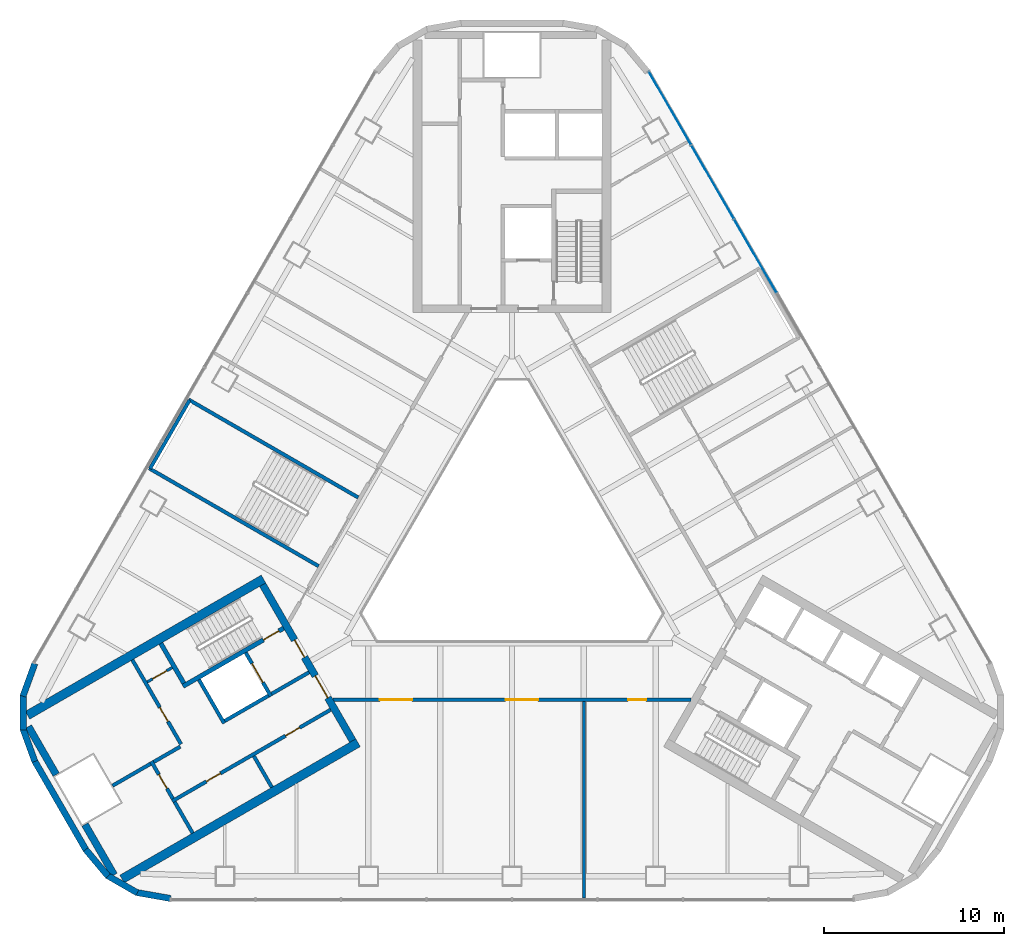
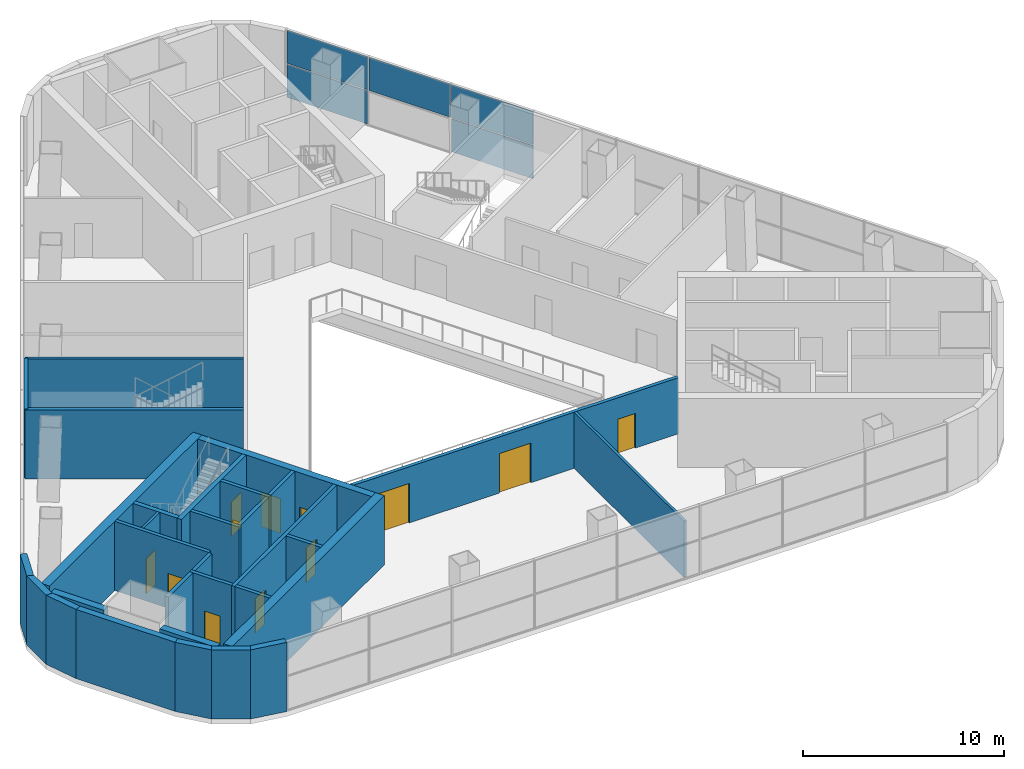
# One storey, part 7 of 12: 31 walls, 12 doors, 5 plates, 12 openings, 1 element without a shape of its own.
"""IFC4 building model written with IfcOpenShell, lengths in metres."""

from ifc_helpers import new_model, si_unit, direction, frame, frame_2d, origin, origin_2d, place, context, subcontext, project, spatial, rectangle, extrude, material, layer, layer_set, type_object, element, fill, aggregate, save


model = new_model("IFC4")

# Units and contexts
model_context = context("Model", 3, precision=1e-05, world=origin(), true_north=direction((0.0, 1.0)))
body_context = subcontext(model_context, "Body", "Model", "MODEL_VIEW")
ifc_project = project(units=[si_unit("LENGTHUNIT", "METRE"), si_unit("AREAUNIT", "SQUARE_METRE"), si_unit("VOLUMEUNIT", "CUBIC_METRE"), si_unit("PLANEANGLEUNIT", "RADIAN"), si_unit("MASSUNIT", "GRAM", prefix="KILO")], contexts=[model_context])

# Site, building, storey
site_placement = place(None, origin())
site = spatial("IfcSite", under=ifc_project, at=site_placement, CompositionType="ELEMENT")
building_placement = place(site_placement, origin())
building = spatial("IfcBuilding", under=site, at=building_placement, Name="Apuvela Tower Hotel", CompositionType="ELEMENT")
storey_placement = place(building_placement, frame((0.0, 0.0, 28.5)))
storey = spatial("IfcBuildingStorey", under=building, at=storey_placement, Name="L04", CompositionType="ELEMENT", Elevation=28.5)

# Curtain wall, plates
ifc_material_1 = material(Name="Aluminium 6063-T6, dark bronze anodised", Category="aluminium")
ifc_layer_1 = layer(ifc_material_1, 0.199951171875)
ifc_layer_set_1 = layer_set([ifc_layer_1], Name="ENV-CW-P")
curtain_wall_type = type_object("IfcCurtainWallType", Name="ENV-CW-P", PredefinedType="NOTDEFINED", material=ifc_layer_set_1)
curtain_wall_placement = place(storey_placement, origin())
curtain_wall = element("IfcCurtainWall", 1, at=curtain_wall_placement, inside=storey, type_object=curtain_wall_type, Name="Curtain wall CW-P NE L04", PredefinedType="NOTDEFINED")
ifc_material_2 = material(Name="Glass, dark tinted laminated insulated glazing unit", Category="glass")
ifc_layer_2 = layer(ifc_material_2, 0.0400390625)
ifc_layer_set_2 = layer_set([ifc_layer_2], Name="ENV-PANEL-IGU-40")
plate_type = type_object("IfcPlateType", Name="ENV-PANEL-IGU-40", PredefinedType="CURTAIN_PANEL", material=ifc_layer_set_2)
plate_1_placement = place(storey_placement, frame((13.511962890625, 16.025146484375, 0.06494140625), z_axis=(0.0, 0.0, 1.0), x_axis=(-0.500001689039, 0.866024428615, 0.0)))
plate_1 = element("IfcPlate", 2, at=plate_1_placement, type_object=plate_type, Name="CW-P panel 6.1", PredefinedType="CURTAIN_PANEL", context=body_context, shape_type="SweptSolid", body=[
    extrude(rectangle(XDim=4.68310546875, YDim=0.0400390625, at=origin_2d()), origin(), (0.0, 0.0, 1.0), 2.00244140625),
])
plate_2_placement = place(storey_placement, frame((13.511962890625, 16.025146484375, 2.132568359375), z_axis=(0.0, 0.0, 1.0), x_axis=(-0.500001689039, 0.866024428615, 0.0)))
plate_2 = element("IfcPlate", 3, at=plate_2_placement, type_object=plate_type, Name="CW-P panel 6.2", PredefinedType="CURTAIN_PANEL", context=body_context, shape_type="SweptSolid", body=[
    extrude(rectangle(XDim=4.68310546875, YDim=0.0400390625, at=origin_2d()), origin(), (0.0, 0.0, 1.0), 2.00244140625),
])
plate_3_placement = place(storey_placement, frame((11.137939453125, 20.13720703125, 2.132568359375), z_axis=(0.0, 0.0, 1.0), x_axis=(-0.500001689039, 0.866024428615, 0.0)))
plate_3 = element("IfcPlate", 4, at=plate_3_placement, type_object=plate_type, Name="CW-P panel 7.2", PredefinedType="CURTAIN_PANEL", context=body_context, shape_type="SweptSolid", body=[
    extrude(rectangle(XDim=4.68310546875, YDim=0.0400390625, at=origin_2d()), origin(), (0.0, 0.0, 1.0), 2.00244140625),
])
plate_4_placement = place(storey_placement, frame((8.77197265625, 24.235107421875, 0.06494140625), z_axis=(0.0, 0.0, 1.0), x_axis=(-0.500001689039, 0.866024428615, 0.0)))
plate_4 = element("IfcPlate", 5, at=plate_4_placement, type_object=plate_type, Name="CW-P panel 8.1", PredefinedType="CURTAIN_PANEL", context=body_context, shape_type="SweptSolid", body=[
    extrude(rectangle(XDim=4.650634765625, YDim=0.0400390625, at=origin_2d()), origin(), (0.0, 0.0, 1.0), 2.00244140625),
])
plate_5_placement = place(storey_placement, frame((8.77197265625, 24.235107421875, 2.132568359375), z_axis=(0.0, 0.0, 1.0), x_axis=(-0.500001689039, 0.866024428615, 0.0)))
plate_5 = element("IfcPlate", 6, at=plate_5_placement, type_object=plate_type, Name="CW-P panel 8.2", PredefinedType="CURTAIN_PANEL", context=body_context, shape_type="SweptSolid", body=[
    extrude(rectangle(XDim=4.650634765625, YDim=0.0400390625, at=origin_2d()), origin(), (0.0, 0.0, 1.0), 2.00244140625),
])
aggregate(curtain_wall, [plate_1, plate_2, plate_3, plate_4, plate_5])

# Wall, openings, doors
ifc_material_3 = material(Name="Concrete C50/60", Category="concrete")
ifc_layer_3 = layer(ifc_material_3, 0.39990234375)
ifc_layer_set_3 = layer_set([ifc_layer_3], Name="COR-WALL-CORE-400")
wall_type_1 = type_object("IfcWallType", Name="COR-WALL-CORE-400", PredefinedType="SHEAR", material=ifc_layer_set_3)
wall_1_placement = place(storey_placement, frame((-13.844970703125, -2.219970703125, 0.0), z_axis=(0.0, 0.0, 1.0), x_axis=(0.500004234368, -0.866022959057, 0.0)))
wall_1 = element("IfcWall", 7, at=wall_1_placement, inside=storey, type_object=wall_type_1, Name="Core wall SW", PredefinedType="SHEAR", context=body_context, shape_type="SweptSolid", body=[
    extrude(rectangle(XDim=10.0, YDim=0.39990234375, at=frame_2d((5.0, 0.0))), origin(), (0.0, 0.0, 1.0), 4.199951171875),
])
opening_1_placement = place(wall_1_placement, frame((3.550048828125, 0.0, 0.0)))
opening_1 = element("IfcOpeningElement", 8, at=opening_1_placement, cuts=wall_1, Name="Opening W-FD", PredefinedType="OPENING", context=body_context, shape_type="SweptSolid", body=[
    extrude(rectangle(XDim=1.10009765625, YDim=2.10009765625, at=frame_2d((0.550048828125, 1.050048828125))), frame((0.0, 0.2099609375, 0.0), z_axis=(0.0, -1.0, 0.0), x_axis=(1.0, 0.0, 0.0)), (0.0, 0.0, 1.0), 0.419921875),
])
opening_2_placement = place(wall_1_placement, frame((5.85009765625, 0.0, 0.0)))
opening_2 = element("IfcOpeningElement", 9, at=opening_2_placement, cuts=wall_1, Name="Opening W-GD", PredefinedType="OPENING", context=body_context, shape_type="SweptSolid", body=[
    extrude(rectangle(XDim=1.39990234375, YDim=2.10009765625, at=frame_2d((0.699951171875, 1.050048828125))), frame((0.0, 0.2099609375, 0.0), z_axis=(0.0, -1.0, 0.0), x_axis=(1.0, 0.0, 0.0)), (0.0, 0.0, 1.0), 0.419921875),
])
ifc_material_4 = material(Name="Steel fire door, powder coated", Category="steel")
door_type_1 = type_object("IfcDoorType", Name="COR-FD-1100", OperationType="NOTDEFINED", PredefinedType="DOOR", material=ifc_material_4)
door_1_placement = place(opening_1_placement, frame((1.10009765625, 0.0, 0.0), z_axis=(0.0, 0.0, 1.0), x_axis=(-1.0, 0.0, 0.0)))
door_1 = element("IfcDoor", 10, at=door_1_placement, inside=storey, type_object=door_type_1, Name="Firefighting lobby door W-FD", OperationType="SINGLE_SWING_LEFT", OverallHeight=2.10009765625, OverallWidth=1.10009765625, PredefinedType="DOOR", context=body_context, shape_type="SweptSolid", body=[
    extrude(rectangle(XDim=1.10009765625, YDim=2.10009765625, at=frame_2d((0.550048828125, 1.050048828125))), frame((0.0, 0.02490234375, 0.0), z_axis=(0.0, -1.0, 0.0), x_axis=(1.0, 0.0, 0.0)), (0.0, 0.0, 1.0), 0.050048828125),
])
fill(opening_1, door_1)
ifc_material_5 = material(Name="Glazed steel fire door", Category="steel")
door_type_2 = type_object("IfcDoorType", Name="COR-GD-1400", OperationType="DOUBLE_DOOR_SINGLE_SWING", PredefinedType="DOOR", material=ifc_material_5)
door_2_placement = place(opening_2_placement, frame((1.39990234375, 0.0, 0.0), z_axis=(0.0, 0.0, 1.0), x_axis=(-1.0, 0.0, 0.0)))
door_2 = element("IfcDoor", 11, at=door_2_placement, inside=storey, type_object=door_type_2, Name="Lift lobby door W-GD", OperationType="DOUBLE_DOOR_SINGLE_SWING", OverallHeight=2.10009765625, OverallWidth=1.39990234375, PredefinedType="DOOR", context=body_context, shape_type="SweptSolid", body=[
    extrude(rectangle(XDim=1.39990234375, YDim=2.10009765625, at=frame_2d((0.699951171875, 1.050048828125))), frame((0.0, 0.02490234375, 0.0), z_axis=(0.0, -1.0, 0.0), x_axis=(1.0, 0.0, 0.0)), (0.0, 0.0, 1.0), 0.050048828125),
])
fill(opening_2, door_2)

# Walls
wall_2_placement = place(storey_placement, frame((-23.70849609375, -15.53564453125, 0.0), z_axis=(0.0, 0.0, 1.0), x_axis=(0.500012177251, -0.866018373131, 0.0)))
element("IfcWall", 12, at=wall_2_placement, inside=storey, type_object=wall_type_1, Name="Core wall SW", PredefinedType="SHEAR", context=body_context, shape_type="SweptSolid", body=[
    extrude(rectangle(XDim=3.23388671875, YDim=0.39990234375, at=frame_2d((1.616943359375, 0.0))), origin(), (0.0, 0.0, 1.0), 4.199951171875),
])
wall_3_placement = place(storey_placement, frame((-26.848388671875, -10.096923828125, 0.0), z_axis=(0.0, 0.0, 1.0), x_axis=(0.499932877268, -0.866064153644, 0.0)))
element("IfcWall", 13, at=wall_3_placement, inside=storey, type_object=wall_type_1, Name="Core wall SW", PredefinedType="SHEAR", context=body_context, shape_type="SweptSolid", body=[
    extrude(rectangle(XDim=3.080078125, YDim=0.39990234375, at=frame_2d((1.5400390625, 0.0))), origin(), (0.0, 0.0, 1.0), 4.199951171875),
])
ifc_layer_4 = layer(ifc_material_3, 0.5)
ifc_layer_set_4 = layer_set([ifc_layer_4], Name="COR-WALL-CORE-500")
wall_type_2 = type_object("IfcWallType", Name="COR-WALL-CORE-500", PredefinedType="SHEAR", material=ifc_layer_set_4)
for number, where, z_axis, x_axis, name in (
    (14, (-13.796630859375, -1.9033203125, 0.0), (0.0, 0.0, 1.0), (-0.866025168306, -0.500000407861, 0.0), "Core wall SW"),
    (15, (-8.546630859375, -10.99658203125, 0.0), (0.0, 0.0, 1.0), (-0.866025168306, -0.500000407861, 0.0), "Core wall SW"),
):
    element("IfcWall", number, at=place(storey_placement, frame(where, z_axis=z_axis, x_axis=x_axis)), inside=storey, type_object=wall_type_2, Name=name, PredefinedType="SHEAR", context=body_context, shape_type="SweptSolid", body=[
        extrude(rectangle(XDim=15.13037109375, YDim=0.5, at=frame_2d((7.565185546875, 0.0))), origin(), (0.0, 0.0, 1.0), 4.199951171875),
    ])

# Wall, opening, door
ifc_material_6 = material(Name="Blockwork 150 mm plastered", Category="masonry")
ifc_layer_5 = layer(ifc_material_6, 0.14990234375)
ifc_layer_set_5 = layer_set([ifc_layer_5], Name="COR-WALL-PART-150")
wall_type_3 = type_object("IfcWallType", Name="COR-WALL-PART-150", PredefinedType="PARTITIONING", material=ifc_layer_set_5)
wall_4_placement = place(storey_placement, frame((-18.866455078125, -6.822265625, 0.0), z_axis=(0.0, 0.0, 1.0), x_axis=(-0.866028054938, -0.499995408039, 0.0)))
wall_4 = element("IfcWall", 16, at=wall_4_placement, inside=storey, type_object=wall_type_3, Name="Partition SW", PredefinedType="PARTITIONING", context=body_context, shape_type="SweptSolid", body=[
    extrude(rectangle(XDim=1.60009765625, YDim=0.14990234375, at=frame_2d((0.800048828125, 0.0))), origin(), (0.0, 0.0, 1.0), 4.199951171875),
])
opening_3_placement = place(wall_4_placement, frame((0.35009765625, 0.0, 0.0)))
opening_3 = element("IfcOpeningElement", 17, at=opening_3_placement, cuts=wall_4, Name="Opening W-RD", PredefinedType="OPENING", context=body_context, shape_type="SweptSolid", body=[
    extrude(rectangle(XDim=0.89990234375, YDim=2.10009765625, at=frame_2d((0.449951171875, 1.050048828125))), frame((0.0, 0.0849609375, 0.0), z_axis=(0.0, -1.0, 0.0), x_axis=(1.0, 0.0, 0.0)), (0.0, 0.0, 1.0), 0.169921875),
])
ifc_material_7 = material(Name="Steel access door, powder coated", Category="steel")
door_type_3 = type_object("IfcDoorType", Name="COR-RD-900", OperationType="NOTDEFINED", PredefinedType="DOOR", material=ifc_material_7)
door_3_placement = place(opening_3_placement, frame((0.89990234375, 0.0, 0.0), z_axis=(0.0, 0.0, 1.0), x_axis=(-1.0, 0.0, 0.0)))
door_3 = element("IfcDoor", 18, at=door_3_placement, inside=storey, type_object=door_type_3, Name="Riser door W-RD", OperationType="SINGLE_SWING_RIGHT", OverallHeight=2.10009765625, OverallWidth=0.89990234375, PredefinedType="DOOR", context=body_context, shape_type="SweptSolid", body=[
    extrude(rectangle(XDim=0.89990234375, YDim=2.10009765625, at=frame_2d((0.449951171875, 1.050048828125))), frame((0.0, 0.02490234375, 0.0), z_axis=(0.0, -1.0, 0.0), x_axis=(1.0, 0.0, 0.0)), (0.0, 0.0, 1.0), 0.050048828125),
])
fill(opening_3, door_3)

ifc_material_8 = material(Name="Blockwork 200 mm plastered", Category="masonry")
ifc_layer_6 = layer(ifc_material_8, 0.199951171875)
ifc_layer_set_6 = layer_set([ifc_layer_6], Name="COR-WALL-PART-200")
wall_type_4 = type_object("IfcWallType", Name="COR-WALL-PART-200", PredefinedType="PARTITIONING", material=ifc_layer_set_6)
wall_5_placement = place(storey_placement, frame((-21.076171875, -6.39501953125, 0.0), z_axis=(0.0, 0.0, 1.0), x_axis=(0.50001468107, -0.866016927499, 0.0)))
wall_5 = element("IfcWall", 19, at=wall_5_placement, inside=storey, type_object=wall_type_4, Name="Partition SW", PredefinedType="PARTITIONING", context=body_context, shape_type="SweptSolid", body=[
    extrude(rectangle(XDim=5.399658203125, YDim=0.199951171875, at=frame_2d((2.69970703125, 0.0))), origin(), (0.0, 0.0, 1.0), 4.199951171875),
])
opening_4_placement = place(wall_5_placement, frame((3.050048828125, 0.0, 0.0)))
opening_4 = element("IfcOpeningElement", 20, at=opening_4_placement, cuts=wall_5, Name="Opening W-RS1", PredefinedType="OPENING", context=body_context, shape_type="SweptSolid", body=[
    extrude(rectangle(XDim=0.89990234375, YDim=2.10009765625, at=frame_2d((0.449951171875, 1.050048828125))), frame((0.0, 0.10986328125, 0.0), z_axis=(0.0, -1.0, 0.0), x_axis=(1.0, 0.0, 0.0)), (0.0, 0.0, 1.0), 0.219970703125),
])
door_type_4 = type_object("IfcDoorType", Name="COR-DR-900", OperationType="NOTDEFINED", PredefinedType="DOOR", material=ifc_material_4)
door_4_placement = place(opening_4_placement, frame((0.89990234375, 0.0, 0.0), z_axis=(0.0, 0.0, 1.0), x_axis=(-1.0, 0.0, 0.0)))
door_4 = element("IfcDoor", 21, at=door_4_placement, inside=storey, type_object=door_type_4, Name="Store door W-RS1", OperationType="SINGLE_SWING_LEFT", OverallHeight=2.10009765625, OverallWidth=0.89990234375, PredefinedType="DOOR", context=body_context, shape_type="SweptSolid", body=[
    extrude(rectangle(XDim=0.89990234375, YDim=2.10009765625, at=frame_2d((0.449951171875, 1.050048828125))), frame((0.0, 0.02490234375, 0.0), z_axis=(0.0, -1.0, 0.0), x_axis=(1.0, 0.0, 0.0)), (0.0, 0.0, 1.0), 0.050048828125),
])
fill(opening_4, door_4)

# Wall
ifc_layer_7 = layer(ifc_material_3, 0.199951171875)
ifc_layer_set_7 = layer_set([ifc_layer_7], Name="COR-WALL-SHAFT-200")
wall_type_5 = type_object("IfcWallType", Name="COR-WALL-SHAFT-200", PredefinedType="SHEAR", material=ifc_layer_set_7)
wall_6_placement = place(storey_placement, frame((-17.38134765625, -7.49462890625, 0.0), z_axis=(0.0, 0.0, 1.0), x_axis=(0.500011755427, -0.866018616679, 0.0)))
element("IfcWall", 22, at=wall_6_placement, inside=storey, type_object=wall_type_5, Name="Shaft wall SW", PredefinedType="SHEAR", context=body_context, shape_type="SweptSolid", body=[
    extrude(rectangle(XDim=2.80029296875, YDim=0.199951171875, at=frame_2d((1.400146484375, 0.0))), origin(), (0.0, 0.0, 1.0), 4.199951171875),
])

# Wall, opening, door
wall_7_placement = place(storey_placement, frame((-14.783203125, -5.99462890625, 0.0), z_axis=(0.0, 0.0, 1.0), x_axis=(0.49994636267, -0.866056369097, 0.0)))
wall_7 = element("IfcWall", 23, at=wall_7_placement, inside=storey, type_object=wall_type_5, Name="Shaft wall SW", PredefinedType="SHEAR", context=body_context, shape_type="SweptSolid", body=[
    extrude(rectangle(XDim=2.800048828125, YDim=0.199951171875, at=frame_2d((1.39990234375, 0.0))), origin(), (0.0, 0.0, 1.0), 4.199951171875),
])
opening_5_placement = place(wall_7_placement, frame((0.699951171875, 0.0, 0.0)))
opening_5 = element("IfcOpeningElement", 24, at=opening_5_placement, cuts=wall_7, Name="Opening W-LD-FS2", PredefinedType="OPENING", context=body_context, shape_type="SweptSolid", body=[
    extrude(rectangle(XDim=1.199951171875, YDim=2.10009765625, at=frame_2d((0.60009765625, 1.050048828125))), frame((0.0, 0.10986328125, 0.0), z_axis=(0.0, -1.0, 0.0), x_axis=(1.0, 0.0, 0.0)), (0.0, 0.0, 1.0), 0.219970703125),
])
ifc_material_9 = material(Name="Stainless steel lift landing door", Category="steel")
door_type_5 = type_object("IfcDoorType", Name="COR-LD-1200", OperationType="DOUBLE_DOOR_SLIDING", PredefinedType="DOOR", material=ifc_material_9)
door_5_placement = place(opening_5_placement, origin())
door_5 = element("IfcDoor", 25, at=door_5_placement, inside=storey, type_object=door_type_5, Name="Lift landing door W-LD-FS2", OperationType="DOUBLE_DOOR_SLIDING", OverallHeight=2.10009765625, OverallWidth=1.199951171875, PredefinedType="DOOR", context=body_context, shape_type="SweptSolid", body=[
    extrude(rectangle(XDim=1.199951171875, YDim=2.10009765625, at=frame_2d((0.60009765625, 1.050048828125))), frame((0.0, 0.02490234375, 0.0), z_axis=(0.0, -1.0, 0.0), x_axis=(1.0, 0.0, 0.0)), (0.0, 0.0, 1.0), 0.050048828125),
])
fill(opening_5, door_5)

# Walls
wall_8_placement = place(storey_placement, frame((-13.519775390625, -8.383056640625, 0.0), z_axis=(0.0, 0.0, 1.0), x_axis=(-0.866034573852, -0.49998411664, 0.0)))
element("IfcWall", 26, at=wall_8_placement, inside=storey, type_object=wall_type_5, Name="Shaft wall SW", PredefinedType="SHEAR", context=body_context, shape_type="SweptSolid", body=[
    extrude(rectangle(XDim=2.7998046875, YDim=0.199951171875, at=frame_2d((1.39990234375, 0.0))), origin(), (0.0, 0.0, 1.0), 4.199951171875),
])
wall_9_placement = place(storey_placement, frame((-11.26806640625, -7.0830078125, 0.0), z_axis=(0.0, 0.0, 1.0), x_axis=(-0.866050077142, -0.499957262057, 0.0)))
element("IfcWall", 27, at=wall_9_placement, inside=storey, type_object=wall_type_5, Name="Shaft wall SW", PredefinedType="SHEAR", context=body_context, shape_type="SweptSolid", body=[
    extrude(rectangle(XDim=2.400146484375, YDim=0.199951171875, at=frame_2d((1.2001953125, 0.0))), origin(), (0.0, 0.0, 1.0), 4.199951171875),
])

# Wall, openings, doors
wall_10_placement = place(storey_placement, frame((-10.068115234375, -9.16162109375, 0.0), z_axis=(0.0, 0.0, 1.0), x_axis=(-0.866032725843, -0.499987317609, 0.0)))
wall_10 = element("IfcWall", 28, at=wall_10_placement, inside=storey, type_object=wall_type_5, Name="Shaft wall SW", PredefinedType="SHEAR", context=body_context, shape_type="SweptSolid", body=[
    extrude(rectangle(XDim=10.159912109375, YDim=0.199951171875, at=frame_2d((5.080078125, 0.0))), origin(), (0.0, 0.0, 1.0), 4.199951171875),
])
opening_6_placement = place(wall_10_placement, frame((1.989990234375, 0.0, 0.0)))
opening_6 = element("IfcOpeningElement", 29, at=opening_6_placement, cuts=wall_10, Name="Opening W-RE1", PredefinedType="OPENING", context=body_context, shape_type="SweptSolid", body=[
    extrude(rectangle(XDim=0.89990234375, YDim=2.10009765625, at=frame_2d((0.449951171875, 1.050048828125))), frame((0.0, 0.10986328125, 0.0), z_axis=(0.0, -1.0, 0.0), x_axis=(1.0, 0.0, 0.0)), (0.0, 0.0, 1.0), 0.219970703125),
])
opening_7_placement = place(wall_10_placement, frame((7.070068359375, 0.0, 0.0)))
opening_7 = element("IfcOpeningElement", 30, at=opening_7_placement, cuts=wall_10, Name="Opening W-RE3", PredefinedType="OPENING", context=body_context, shape_type="SweptSolid", body=[
    extrude(rectangle(XDim=0.89990234375, YDim=2.10009765625, at=frame_2d((0.449951171875, 1.050048828125))), frame((0.0, 0.10986328125, 0.0), z_axis=(0.0, -1.0, 0.0), x_axis=(1.0, 0.0, 0.0)), (0.0, 0.0, 1.0), 0.219970703125),
])
door_6_placement = place(opening_6_placement, origin())
door_6 = element("IfcDoor", 31, at=door_6_placement, inside=storey, type_object=door_type_4, Name="Store door W-RE1", OperationType="SINGLE_SWING_LEFT", OverallHeight=2.10009765625, OverallWidth=0.89990234375, PredefinedType="DOOR", context=body_context, shape_type="SweptSolid", body=[
    extrude(rectangle(XDim=0.89990234375, YDim=2.10009765625, at=frame_2d((0.449951171875, 1.050048828125))), frame((0.0, 0.02490234375, 0.0), z_axis=(0.0, -1.0, 0.0), x_axis=(1.0, 0.0, 0.0)), (0.0, 0.0, 1.0), 0.050048828125),
])
fill(opening_6, door_6)
door_7_placement = place(opening_7_placement, origin())
door_7 = element("IfcDoor", 32, at=door_7_placement, inside=storey, type_object=door_type_4, Name="Store door W-RE3", OperationType="SINGLE_SWING_LEFT", OverallHeight=2.10009765625, OverallWidth=0.89990234375, PredefinedType="DOOR", context=body_context, shape_type="SweptSolid", body=[
    extrude(rectangle(XDim=0.89990234375, YDim=2.10009765625, at=frame_2d((0.449951171875, 1.050048828125))), frame((0.0, 0.02490234375, 0.0), z_axis=(0.0, -1.0, 0.0), x_axis=(1.0, 0.0, 0.0)), (0.0, 0.0, 1.0), 0.050048828125),
])
fill(opening_7, door_7)

# Wall, opening, door
wall_11_placement = place(storey_placement, frame((-20.030517578125, -12.0263671875, 0.0), z_axis=(0.0, 0.0, 1.0), x_axis=(0.500033551112, -0.866006032174, 0.0)))
wall_11 = element("IfcWall", 33, at=wall_11_placement, inside=storey, type_object=wall_type_5, Name="Shaft wall SW", PredefinedType="SHEAR", context=body_context, shape_type="SweptSolid", body=[
    extrude(rectangle(XDim=2.400146484375, YDim=0.199951171875, at=frame_2d((1.2001953125, 0.0))), origin(), (0.0, 0.0, 1.0), 4.199951171875),
])
opening_8_placement = place(wall_11_placement, frame((0.85009765625, 0.0, 0.0)))
opening_8 = element("IfcOpeningElement", 34, at=opening_8_placement, cuts=wall_11, Name="Opening W-REP", PredefinedType="OPENING", context=body_context, shape_type="SweptSolid", body=[
    extrude(rectangle(XDim=0.89990234375, YDim=2.10009765625, at=frame_2d((0.449951171875, 1.050048828125))), frame((0.0, 0.10986328125, 0.0), z_axis=(0.0, -1.0, 0.0), x_axis=(1.0, 0.0, 0.0)), (0.0, 0.0, 1.0), 0.219970703125),
])
door_8_placement = place(opening_8_placement, frame((0.89990234375, 0.0, 0.0), z_axis=(0.0, 0.0, 1.0), x_axis=(-1.0, 0.0, 0.0)))
door_8 = element("IfcDoor", 35, at=door_8_placement, inside=storey, type_object=door_type_4, Name="Store door W-REP", OperationType="SINGLE_SWING_LEFT", OverallHeight=2.10009765625, OverallWidth=0.89990234375, PredefinedType="DOOR", context=body_context, shape_type="SweptSolid", body=[
    extrude(rectangle(XDim=0.89990234375, YDim=2.10009765625, at=frame_2d((0.449951171875, 1.050048828125))), frame((0.0, 0.02490234375, 0.0), z_axis=(0.0, -1.0, 0.0), x_axis=(1.0, 0.0, 0.0)), (0.0, 0.0, 1.0), 0.050048828125),
])
fill(opening_8, door_8)

# Walls
wall_12_placement = place(storey_placement, frame((-18.412841796875, -11.2080078125, 0.0), z_axis=(0.0, 0.0, 1.0), x_axis=(-0.866038183914, -0.499977863513, 0.0)))
element("IfcWall", 36, at=wall_12_placement, inside=storey, type_object=wall_type_5, Name="Shaft wall SW", PredefinedType="SHEAR", context=body_context, shape_type="SweptSolid", body=[
    extrude(rectangle(XDim=1.7099609375, YDim=0.199951171875, at=frame_2d((0.85498046875, 0.0))), origin(), (0.0, 0.0, 1.0), 4.199951171875),
])
for number, where, z_axis, x_axis, name in (
    (37, (-14.330810546875, -11.738037109375, 0.0), (0.0, 0.0, 1.0), (0.499972520799, -0.866041268327, 0.0), "Shaft wall SW"),
    (38, (-18.73046875, -14.278076171875, 0.0), (0.0, 0.0, 1.0), (0.50002537861, -0.866010750942, 0.0), "Shaft wall SW"),
):
    element("IfcWall", number, at=place(storey_placement, frame(where, z_axis=z_axis, x_axis=x_axis)), inside=storey, type_object=wall_type_5, Name=name, PredefinedType="SHEAR", context=body_context, shape_type="SweptSolid", body=[
        extrude(rectangle(XDim=2.0, YDim=0.199951171875, at=frame_2d((1.0, 0.0))), origin(), (0.0, 0.0, 1.0), 4.199951171875),
    ])
wall_13_placement = place(storey_placement, frame((-20.06689453125, -12.1630859375, 0.0), z_axis=(0.0, 0.0, 1.0), x_axis=(-0.866048967903, -0.499959183527, 0.0)))
element("IfcWall", 39, at=wall_13_placement, inside=storey, type_object=wall_type_5, Name="Shaft wall SW", PredefinedType="SHEAR", context=body_context, shape_type="SweptSolid", body=[
    extrude(rectangle(XDim=2.440185546875, YDim=0.199951171875, at=frame_2d((1.22021484375, 0.0))), origin(), (0.0, 0.0, 1.0), 4.199951171875),
])

# Wall, opening, door
ifc_layer_8 = layer(ifc_material_3, 0.25)
ifc_layer_set_8 = layer_set([ifc_layer_8], Name="COR-WALL-STAIR-250")
wall_type_6 = type_object("IfcWallType", Name="COR-WALL-STAIR-250", PredefinedType="SHEAR", material=ifc_layer_set_8)
wall_14_placement = place(storey_placement, frame((-12.6806640625, -4.636474609375, 0.0), z_axis=(0.0, 0.0, 1.0), x_axis=(-0.866021702275, -0.500006411147, 0.0)))
wall_14 = element("IfcWall", 40, at=wall_14_placement, inside=storey, type_object=wall_type_6, Name="Stair wall SW", PredefinedType="SHEAR", context=body_context, shape_type="SweptSolid", body=[
    extrude(rectangle(XDim=6.4501953125, YDim=0.25, at=frame_2d((3.22509765625, 0.0))), origin(), (0.0, 0.0, 1.0), 4.199951171875),
])
opening_9_placement = place(wall_14_placement, frame((0.300048828125, 0.0, 0.0)))
opening_9 = element("IfcOpeningElement", 41, at=opening_9_placement, cuts=wall_14, Name="Opening W-SD", PredefinedType="OPENING", context=body_context, shape_type="SweptSolid", body=[
    extrude(rectangle(XDim=1.0, YDim=2.10009765625, at=frame_2d((0.5, 1.050048828125))), frame((0.0, 0.135009765625, 0.0), z_axis=(0.0, -1.0, 0.0), x_axis=(1.0, 0.0, 0.0)), (0.0, 0.0, 1.0), 0.27001953125),
])
door_type_6 = type_object("IfcDoorType", Name="COR-SD-1000", OperationType="NOTDEFINED", PredefinedType="DOOR", material=ifc_material_4)
door_9_placement = place(opening_9_placement, frame((1.0, 0.0, 0.0), z_axis=(0.0, 0.0, 1.0), x_axis=(-1.0, 0.0, 0.0)))
door_9 = element("IfcDoor", 42, at=door_9_placement, inside=storey, type_object=door_type_6, Name="Stair door W-SD", OperationType="SINGLE_SWING_LEFT", OverallHeight=2.10009765625, OverallWidth=1.0, PredefinedType="DOOR", context=body_context, shape_type="SweptSolid", body=[
    extrude(rectangle(XDim=1.0, YDim=2.10009765625, at=frame_2d((0.5, 1.050048828125))), frame((0.0, 0.02490234375, 0.0), z_axis=(0.0, -1.0, 0.0), x_axis=(1.0, 0.0, 0.0)), (0.0, 0.0, 1.0), 0.050048828125),
])
fill(opening_9, door_9)

# Walls
wall_15_placement = place(storey_placement, frame((-19.49560546875, -5.482421875, 0.0), z_axis=(0.0, 0.0, 1.0), x_axis=(0.499990435942, -0.866030925526, 0.0)))
element("IfcWall", 43, at=wall_15_placement, inside=storey, type_object=wall_type_6, Name="Stair wall SW", PredefinedType="SHEAR", context=body_context, shape_type="SweptSolid", body=[
    extrude(rectangle(XDim=2.5498046875, YDim=0.25, at=frame_2d((1.27490234375, 0.0))), origin(), (0.0, 0.0, 1.0), 4.199951171875),
])
ifc_material_10 = material(Name="Concrete C40/50, dark pigmented precast panel", Category="concrete")
ifc_layer_9 = layer(ifc_material_10, 0.35009765625)
ifc_layer_set_9 = layer_set([ifc_layer_9], Name="ENV-WALL-350")
wall_type_7 = type_object("IfcWallType", Name="ENV-WALL-350", PredefinedType="SOLIDWALL", material=ifc_layer_set_9)
for number, where, z_axis, x_axis, name in (
    (44, (-26.491455078125, -6.6005859375, 0.0), (0.0, 0.0, 1.0), (-0.341976867365, -0.939708370819, 0.0), "External wall L04-08"),
    (45, (-27.140380859375, -8.3525390625, 0.0), (0.0, 0.0, 1.0), (0.0, -1.0, 0.0), "External wall L04-09"),
    (46, (-27.15087890625, -10.220703125, 0.0), (0.0, 0.0, 1.0), (0.341976867365, -0.939708370819, 0.0), "External wall L04-10"),
):
    element("IfcWall", number, at=place(storey_placement, frame(where, z_axis=z_axis, x_axis=x_axis)), inside=storey, type_object=wall_type_7, Name=name, PredefinedType="SOLIDWALL", context=body_context, shape_type="SweptSolid", body=[
        extrude(rectangle(XDim=1.92822265625, YDim=0.35009765625, at=frame_2d((0.964111328125, 0.0))), origin(), (0.0, 0.0, 1.0), 4.199951171875),
    ])
wall_16_placement = place(storey_placement, frame((-26.50439453125, -12.0048828125, 0.0), z_axis=(0.0, 0.0, 1.0), x_axis=(0.500014776476, -0.866016872414, 0.0)))
element("IfcWall", 47, at=wall_16_placement, inside=storey, type_object=wall_type_7, Name="External wall L04-11", PredefinedType="SOLIDWALL", context=body_context, shape_type="SweptSolid", body=[
    extrude(rectangle(XDim=5.711181640625, YDim=0.35009765625, at=frame_2d((2.85546875, 0.0))), origin(), (0.0, 0.0, 1.0), 4.199951171875),
])
for number, where, z_axis, x_axis, name in (
    (48, (-23.666259765625, -16.926025390625, 0.0), (0.0, 0.0, 1.0), (0.642746534531, -0.76607890739, 0.0), "External wall L04-12"),
    (49, (-22.473388671875, -18.364013671875, 0.0), (0.0, 0.0, 1.0), (0.866052736899, -0.499952654668, 0.0), "External wall L04-13"),
    (50, (-20.86083984375, -19.30712890625, 0.0), (0.0, 0.0, 1.0), (0.984792481028, -0.17373476713, 0.0), "External wall L04-14"),
):
    element("IfcWall", number, at=place(storey_placement, frame(where, z_axis=z_axis, x_axis=x_axis)), inside=storey, type_object=wall_type_7, Name=name, PredefinedType="SOLIDWALL", context=body_context, shape_type="SweptSolid", body=[
        extrude(rectangle(XDim=1.927978515625, YDim=0.35009765625, at=frame_2d((0.9638671875, 0.0))), origin(), (0.0, 0.0, 1.0), 4.199951171875),
    ])

# Wall, openings, doors
ifc_material_11 = material(Name="Fire-rated gypsum board partition on steel stud", Category="steel")
ifc_layer_10 = layer(ifc_material_11, 0.199951171875)
ifc_layer_set_10 = layer_set([ifc_layer_10], Name="SPC-WALL-CORRIDOR")
wall_type_8 = type_object("IfcWallType", Name="SPC-WALL-CORRIDOR", PredefinedType="PARTITIONING", material=ifc_layer_set_10)
wall_17_placement = place(storey_placement, frame((-9.930419921875, -8.60009765625, 0.0), z_axis=(0.0, 0.0, 1.0), x_axis=(1.0, 0.0, 0.0)))
wall_17 = element("IfcWall", 51, at=wall_17_placement, inside=storey, type_object=wall_type_8, Name="Wall L04-S-CW", PredefinedType="PARTITIONING", context=body_context, shape_type="SweptSolid", body=[
    extrude(rectangle(XDim=19.86083984375, YDim=0.199951171875, at=frame_2d((9.930419921875, 0.0))), origin(), (0.0, 0.0, 1.0), 3.409912109375),
])
opening_10_placement = place(wall_17_placement, frame((2.591796875, 0.0, 0.0)))
opening_10 = element("IfcOpeningElement", 52, at=opening_10_placement, cuts=wall_17, Name="Opening L04-S06", PredefinedType="OPENING", context=body_context, shape_type="SweptSolid", body=[
    extrude(rectangle(XDim=1.800048828125, YDim=2.39990234375, at=frame_2d((0.89990234375, 1.199951171875))), frame((0.0, 0.10986328125, 0.0), z_axis=(0.0, -1.0, 0.0), x_axis=(1.0, 0.0, 0.0)), (0.0, 0.0, 1.0), 0.219970703125),
])
opening_11_placement = place(wall_17_placement, frame((9.5751953125, 0.0, 0.0)))
opening_11 = element("IfcOpeningElement", 53, at=opening_11_placement, cuts=wall_17, Name="Opening L04-S07", PredefinedType="OPENING", context=body_context, shape_type="SweptSolid", body=[
    extrude(rectangle(XDim=1.800048828125, YDim=2.39990234375, at=frame_2d((0.89990234375, 1.199951171875))), frame((0.0, 0.10986328125, 0.0), z_axis=(0.0, -1.0, 0.0), x_axis=(1.0, 0.0, 0.0)), (0.0, 0.0, 1.0), 0.219970703125),
])
opening_12_placement = place(wall_17_placement, frame((16.37744140625, 0.0, 0.0)))
opening_12 = element("IfcOpeningElement", 54, at=opening_12_placement, cuts=wall_17, Name="Opening L04-S08", PredefinedType="OPENING", context=body_context, shape_type="SweptSolid", body=[
    extrude(rectangle(XDim=1.0, YDim=2.10009765625, at=frame_2d((0.5, 1.050048828125))), frame((0.0, 0.10986328125, 0.0), z_axis=(0.0, -1.0, 0.0), x_axis=(1.0, 0.0, 0.0)), (0.0, 0.0, 1.0), 0.219970703125),
])
ifc_material_12 = material(Name="Fire-rated hardwood veneer door leaf", Category="wood")
door_type_7 = type_object("IfcDoorType", Name="SPC-DOOR-1000-FD", OperationType="NOTDEFINED", PredefinedType="DOOR", material=ifc_material_12)
door_10_placement = place(opening_12_placement, frame((1.0, 0.0, 0.0), z_axis=(0.0, 0.0, 1.0), x_axis=(-1.0, 0.0, 0.0)))
door_10 = element("IfcDoor", 55, at=door_10_placement, inside=storey, type_object=door_type_7, Name="L04-S08", OperationType="SINGLE_SWING_LEFT", OverallHeight=2.10009765625, OverallWidth=1.0, PredefinedType="DOOR", context=body_context, shape_type="SweptSolid", body=[
    extrude(rectangle(XDim=1.0, YDim=2.10009765625, at=frame_2d((0.5, 1.050048828125))), frame((0.0, 0.02490234375, 0.0), z_axis=(0.0, -1.0, 0.0), x_axis=(1.0, 0.0, 0.0)), (0.0, 0.0, 1.0), 0.050048828125),
])
fill(opening_12, door_10)
door_type_8 = type_object("IfcDoorType", Name="SPC-DOOR-1800-FD", OperationType="NOTDEFINED", PredefinedType="DOOR", material=ifc_material_12)
door_11_placement = place(opening_10_placement, origin())
door_11 = element("IfcDoor", 56, at=door_11_placement, inside=storey, type_object=door_type_8, Name="L04-S06", OperationType="DOUBLE_DOOR_SINGLE_SWING", OverallHeight=2.39990234375, OverallWidth=1.800048828125, PredefinedType="DOOR", context=body_context, shape_type="SweptSolid", body=[
    extrude(rectangle(XDim=1.800048828125, YDim=2.39990234375, at=frame_2d((0.89990234375, 1.199951171875))), frame((0.0, 0.02490234375, 0.0), z_axis=(0.0, -1.0, 0.0), x_axis=(1.0, 0.0, 0.0)), (0.0, 0.0, 1.0), 0.050048828125),
])
fill(opening_10, door_11)
door_12_placement = place(opening_11_placement, origin())
door_12 = element("IfcDoor", 57, at=door_12_placement, inside=storey, type_object=door_type_8, Name="L04-S07", OperationType="DOUBLE_DOOR_SINGLE_SWING", OverallHeight=2.39990234375, OverallWidth=1.800048828125, PredefinedType="DOOR", context=body_context, shape_type="SweptSolid", body=[
    extrude(rectangle(XDim=1.800048828125, YDim=2.39990234375, at=frame_2d((0.89990234375, 1.199951171875))), frame((0.0, 0.02490234375, 0.0), z_axis=(0.0, -1.0, 0.0), x_axis=(1.0, 0.0, 0.0)), (0.0, 0.0, 1.0), 0.050048828125),
])
fill(opening_11, door_12)

# Walls
ifc_material_13 = material(Name="Gypsum board partition on steel stud", Category="steel")
ifc_layer_11 = layer(ifc_material_13, 0.14990234375)
ifc_layer_set_11 = layer_set([ifc_layer_11], Name="SPC-WALL-PARTITION")
wall_type_9 = type_object("IfcWallType", Name="SPC-WALL-PARTITION", PredefinedType="PARTITIONING", material=ifc_layer_set_11)
wall_18_placement = place(storey_placement, frame((4.0, -19.6142578125, 0.0), z_axis=(0.0, 0.0, 1.0), x_axis=(0.0, 1.0, 0.0)))
element("IfcWall", 58, at=wall_18_placement, inside=storey, type_object=wall_type_9, Name="Wall L04-S-P01", PredefinedType="PARTITIONING", context=body_context, shape_type="SweptSolid", body=[
    extrude(rectangle(XDim=10.914306640625, YDim=0.14990234375, at=frame_2d((5.45703125, 0.0))), origin(), (0.0, 0.0, 1.0), 3.409912109375),
])
ifc_material_14 = material(Name="Concrete C40/50", Category="concrete")
ifc_layer_12 = layer(ifc_material_14, 0.199951171875)
ifc_layer_set_12 = layer_set([ifc_layer_12], Name="SPC-WALL-STAIR")
wall_type_10 = type_object("IfcWallType", Name="SPC-WALL-STAIR", PredefinedType="SOLIDWALL", material=ifc_layer_set_12)
wall_19_placement = place(storey_placement, frame((-17.947998046875, 8.052978515625, 0.0), z_axis=(0.0, 0.0, 1.0), x_axis=(0.86602026553, -0.500008899612, 0.0)))
element("IfcWall", 59, at=wall_19_placement, inside=storey, type_object=wall_type_10, Name="Wall L04-NW-P04", PredefinedType="SOLIDWALL", context=body_context, shape_type="SweptSolid", body=[
    extrude(rectangle(XDim=10.869873046875, YDim=0.199951171875, at=frame_2d((5.43505859375, 0.0))), origin(), (0.0, 0.0, 1.0), 4.199951171875),
])
wall_20_placement = place(storey_placement, frame((-20.148193359375, 4.242431640625, 0.0), z_axis=(0.0, 0.0, 1.0), x_axis=(0.866025880615, -0.499999174104, 0.0)))
element("IfcWall", 60, at=wall_20_placement, inside=storey, type_object=wall_type_10, Name="Wall L04-NW-P05", PredefinedType="SOLIDWALL", context=body_context, shape_type="SweptSolid", body=[
    extrude(rectangle(XDim=10.8701171875, YDim=0.199951171875, at=frame_2d((5.43505859375, 0.0))), origin(), (0.0, 0.0, 1.0), 4.199951171875),
])
wall_21_placement = place(storey_placement, frame((-17.89990234375, 8.025146484375, 0.0), z_axis=(0.0, 0.0, 1.0), x_axis=(-0.499988222896, -0.866032203192, 0.0)))
element("IfcWall", 61, at=wall_21_placement, inside=storey, type_object=wall_type_10, Name="Wall L04-NW-FWX", PredefinedType="SOLIDWALL", context=body_context, shape_type="SweptSolid", body=[
    extrude(rectangle(XDim=4.39990234375, YDim=0.199951171875, at=frame_2d((2.199951171875, 0.0))), origin(), (0.0, 0.0, 1.0), 4.199951171875),
])

save(model, "model.ifc")
